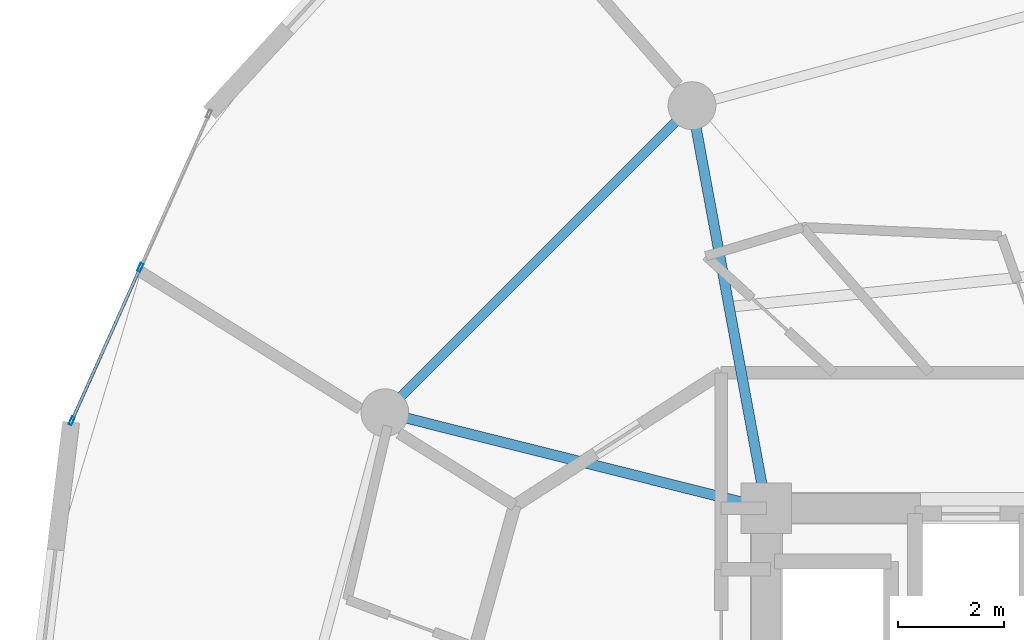
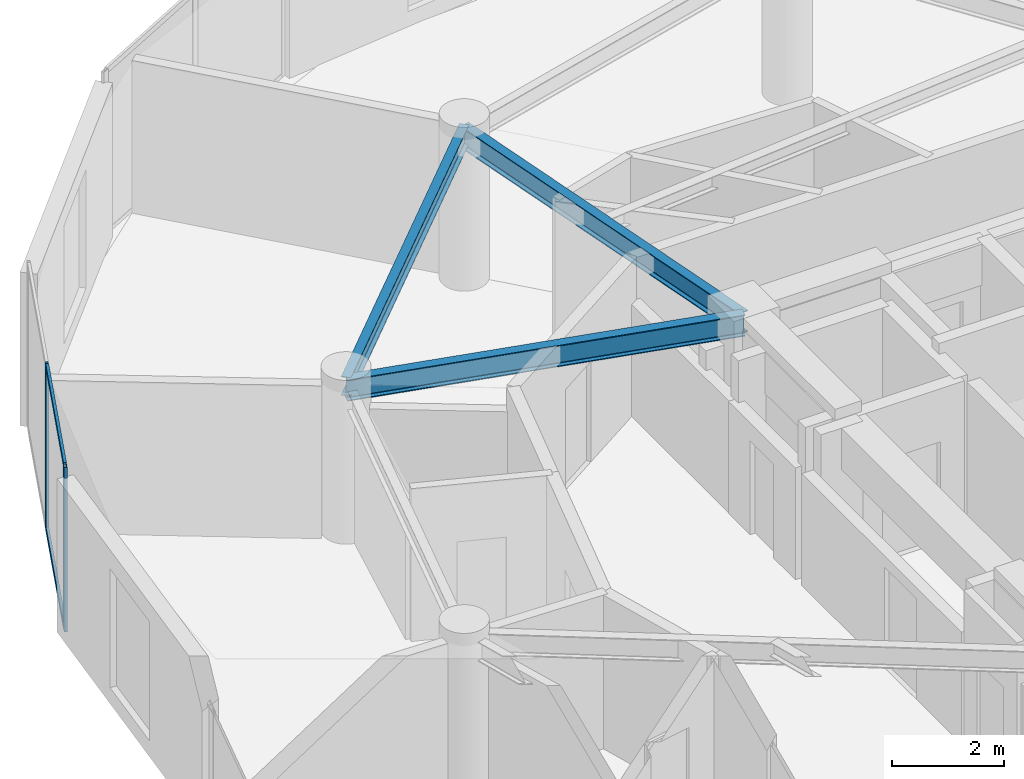
# One storey, part 9 of 22: 4 members, 3 beams, 1 element without a shape of its own.
"""IFC4 building model written with IfcOpenShell, lengths in metres."""

from ifc_helpers import new_model, si_unit, direction, frame, origin, origin_2d, place, context, subcontext, project, spatial, hollow_rectangle, i_section, extrude, source, transform, mapped, material, layer, layer_set, material_profile, profile_set, type_object, element, aggregate, save


model = new_model("IFC4")

# Units and contexts
model_context = context("Model", 3, precision=1e-05, world=origin(), true_north=direction((0.0, 1.0)))
body_context = subcontext(model_context, "Body", "Model", "MODEL_VIEW")
ifc_project = project(units=[si_unit("LENGTHUNIT", "METRE"), si_unit("AREAUNIT", "SQUARE_METRE"), si_unit("VOLUMEUNIT", "CUBIC_METRE"), si_unit("PLANEANGLEUNIT", "RADIAN"), si_unit("MASSUNIT", "GRAM", prefix="KILO")], contexts=[model_context])

# Site, building, storey
site_placement = place(None, origin())
site = spatial("IfcSite", under=ifc_project, at=site_placement, CompositionType="ELEMENT")
building_placement = place(site_placement, origin())
building = spatial("IfcBuilding", under=site, at=building_placement, Name="Solvirekh Grand Hotel", CompositionType="ELEMENT")
storey_placement = place(building_placement, frame((0.0, 0.0, 227.199951171875)))
storey = spatial("IfcBuildingStorey", under=building, at=storey_placement, Name="L59", CompositionType="ELEMENT", Elevation=227.199951171875)

# Beams
ifc_material_1 = material(Name="Steel S355", Category="steel")
ifc_material_profile_1 = material_profile(ifc_material_1, i_section(OverallWidth=0.194091796875, OverallDepth=0.468994140625, WebThickness=0.010986328125, FlangeThickness=0.01904296875, FilletRadius=0.012939453125, at=origin_2d()), Name="W460X106")
ifc_profile_set_1 = profile_set([ifc_material_profile_1], Name="Steel S355")
beam_type_1 = type_object("IfcBeamType", Name="Beam_Radial_W460H", PredefinedType="BEAM", material=ifc_profile_set_1)
beam_1_placement = place(storey_placement, frame((-6.5, 6.10009765625, 3.1259765625), z_axis=(-0.181542769111, 0.983383049978, 0.0), x_axis=(-0.983383049978, -0.181542769111, 0.0)))
element("IfcBeam", 1, at=beam_1_placement, inside=storey, type_object=beam_type_1, Name="L59 radial floor beam R05", PredefinedType="BEAM", context=body_context, shape_type="SweptSolid", body=[
    extrude(i_section(OverallWidth=0.194091796875, OverallDepth=0.468994140625, WebThickness=0.010986328125, FlangeThickness=0.01904296875, FilletRadius=0.012939453125, at=origin_2d()), origin(), (0.0, 0.0, 1.0), 7.711181640625),
])
beam_2_placement = place(storey_placement, frame((-6.5, 6.10009765625, 3.1259765625), z_axis=(-0.970014367692, 0.243047580675, 0.0), x_axis=(-0.243047580675, -0.970014367692, 0.0)))
element("IfcBeam", 2, at=beam_2_placement, inside=storey, type_object=beam_type_1, Name="L59 radial floor beam R06", PredefinedType="BEAM", context=body_context, shape_type="SweptSolid", body=[
    extrude(i_section(OverallWidth=0.194091796875, OverallDepth=0.468994140625, WebThickness=0.010986328125, FlangeThickness=0.01904296875, FilletRadius=0.012939453125, at=origin_2d()), origin(), (0.0, 0.0, 1.0), 7.4052734375),
])
ifc_material_profile_2 = material_profile(ifc_material_1, i_section(OverallWidth=0.180908203125, OverallDepth=0.4169921875, WebThickness=0.010009765625, FlangeThickness=0.01611328125, FilletRadius=0.011962890625, at=origin_2d()), Name="W410X85")
ifc_profile_set_2 = profile_set([ifc_material_profile_2], Name="Steel S355")
beam_type_2 = type_object("IfcBeamType", Name="Spandrel_Ring_W410", PredefinedType="SPANDREL", material=ifc_profile_set_2)
beam_3_placement = place(storey_placement, frame((-7.89990234375, 13.68310546875, 3.152099609375), z_axis=(-0.707106781187, -0.707106781187, 0.0), x_axis=(0.707106781187, -0.707106781187, 0.0)))
element("IfcBeam", 3, at=beam_3_placement, inside=storey, type_object=beam_type_2, Name="L59 perimeter spandrel beam 5", PredefinedType="SPANDREL", context=body_context, shape_type="SweptSolid", body=[
    extrude(i_section(OverallWidth=0.180908203125, OverallDepth=0.4169921875, WebThickness=0.010009765625, FlangeThickness=0.01611328125, FilletRadius=0.011962890625, at=origin_2d()), origin(), (0.0, 0.0, 1.0), 8.1787109375),
])

# Curtain wall, members
ifc_material_2 = material(Name="Anodized Bronze Aluminium 6063-T6", Category="aluminium")
ifc_layer = layer(ifc_material_2, 0.159912109375)
ifc_layer_set = layer_set([ifc_layer], Name="Anodized Bronze Aluminium 6063-T6")
curtain_wall_type = type_object("IfcCurtainWallType", Name="CW_Sys4_HighZoneFlushBronzeCW", PredefinedType="NOTDEFINED", material=ifc_layer_set)
curtain_wall_placement = place(storey_placement, origin())
curtain_wall = element("IfcCurtainWall", 4, at=curtain_wall_placement, inside=storey, type_object=curtain_wall_type, Name="L59 unitised bronze-glass curtain wall CW-L59-C13", PredefinedType="NOTDEFINED")
ifc_material_profile_3 = material_profile(ifc_material_2, hollow_rectangle(XDim=0.06005859375, YDim=0.159912109375, WallThickness=0.0048828125, at=origin_2d()), Name="ALU RHS 160X60X5")
ifc_profile_set_3 = profile_set([ifc_material_profile_3], Name="Anodized Bronze Aluminium 6063-T6")
member_type_1 = type_object("IfcMemberType", Name="CWMullion_Sys4", PredefinedType="MULLION", material=ifc_profile_set_3)
shared_shape_1 = source(origin(), body_context, "Body", "SweptSolid", [
    extrude(hollow_rectangle(XDim=0.06005859375, YDim=0.159912109375, WallThickness=0.0048828125, at=origin_2d()), origin(), (0.0, 0.0, 1.0), 3.60009765625),
])
member_1_placement = place(storey_placement, frame((-18.28857421875, 10.635009765625, 0.0), z_axis=(0.0, 0.0, 1.0), x_axis=(0.912821322646, -0.408359195958, 0.0)))
member_1 = element("IfcMember", 5, at=member_1_placement, type_object=member_type_1, Name="U04 mullion 2", PredefinedType="MULLION", context=body_context, shape_type="MappedRepresentation", body=[
    mapped(shared_shape_1, transform((0.0, 0.0, 0.0), x_axis=(1.0, 0.0, 0.0), y_axis=(0.0, 1.0, 0.0), z_axis=(0.0, 0.0, 1.0), scale=1.0)),
])
member_2_placement = place(storey_placement, frame((-19.580810546875, 7.746337890625, 0.0), z_axis=(0.0, 0.0, 1.0), x_axis=(0.912821322646, -0.408359195958, 0.0)))
member_2 = element("IfcMember", 6, at=member_2_placement, type_object=member_type_1, Name="U04 mullion 3", PredefinedType="MULLION", context=body_context, shape_type="MappedRepresentation", body=[
    mapped(shared_shape_1, transform((0.0, 0.0, 0.0), x_axis=(1.0, 0.0, 0.0), y_axis=(0.0, 1.0, 0.0), z_axis=(0.0, 0.0, 1.0), scale=1.0)),
])
ifc_material_profile_4 = material_profile(ifc_material_2, hollow_rectangle(XDim=0.054931640625, YDim=0.1201171875, WallThickness=0.00390625, at=origin_2d()), Name="ALU RHS 120X55X4")
ifc_profile_set_4 = profile_set([ifc_material_profile_4], Name="Anodized Bronze Aluminium 6063-T6")
member_type_2 = type_object("IfcMemberType", Name="CWTransom_Sys4", PredefinedType="USERDEFINED", material=ifc_profile_set_4)
shared_shape_2 = source(origin(), body_context, "Body", "SweptSolid", [
    extrude(hollow_rectangle(XDim=0.054931640625, YDim=0.1201171875, WallThickness=0.00390625, at=origin_2d()), origin(), (0.0, 0.0, 1.0), 3.104736328125),
])
member_3_placement = place(storey_placement, frame((-18.30078125, 10.607666015625, 0.027587890625), z_axis=(-0.408362611456, -0.912819794683, 0.0), x_axis=(0.912819794683, -0.408362611456, 0.0)))
member_3 = element("IfcMember", 7, at=member_3_placement, type_object=member_type_2, Name="U04 transom 2.1", ObjectType="TRANSOM", PredefinedType="USERDEFINED", context=body_context, shape_type="MappedRepresentation", body=[
    mapped(shared_shape_2, transform((0.0, 0.0, 0.0), x_axis=(1.0, 0.0, 0.0), y_axis=(0.0, 1.0, 0.0), z_axis=(0.0, 0.0, 1.0), scale=1.0)),
])
member_4_placement = place(storey_placement, frame((-18.30078125, 10.607666015625, 3.572509765625), z_axis=(-0.408362611456, -0.912819794683, 0.0), x_axis=(0.912819794683, -0.408362611456, 0.0)))
member_4 = element("IfcMember", 8, at=member_4_placement, type_object=member_type_2, Name="U04 transom 2.2", ObjectType="TRANSOM", PredefinedType="USERDEFINED", context=body_context, shape_type="MappedRepresentation", body=[
    mapped(shared_shape_2, transform((0.0, 0.0, 0.0), x_axis=(1.0, 0.0, 0.0), y_axis=(0.0, 1.0, 0.0), z_axis=(0.0, 0.0, 1.0), scale=1.0)),
])
aggregate(curtain_wall, [member_1, member_2, member_3, member_4])

save(model, "model.ifc")
